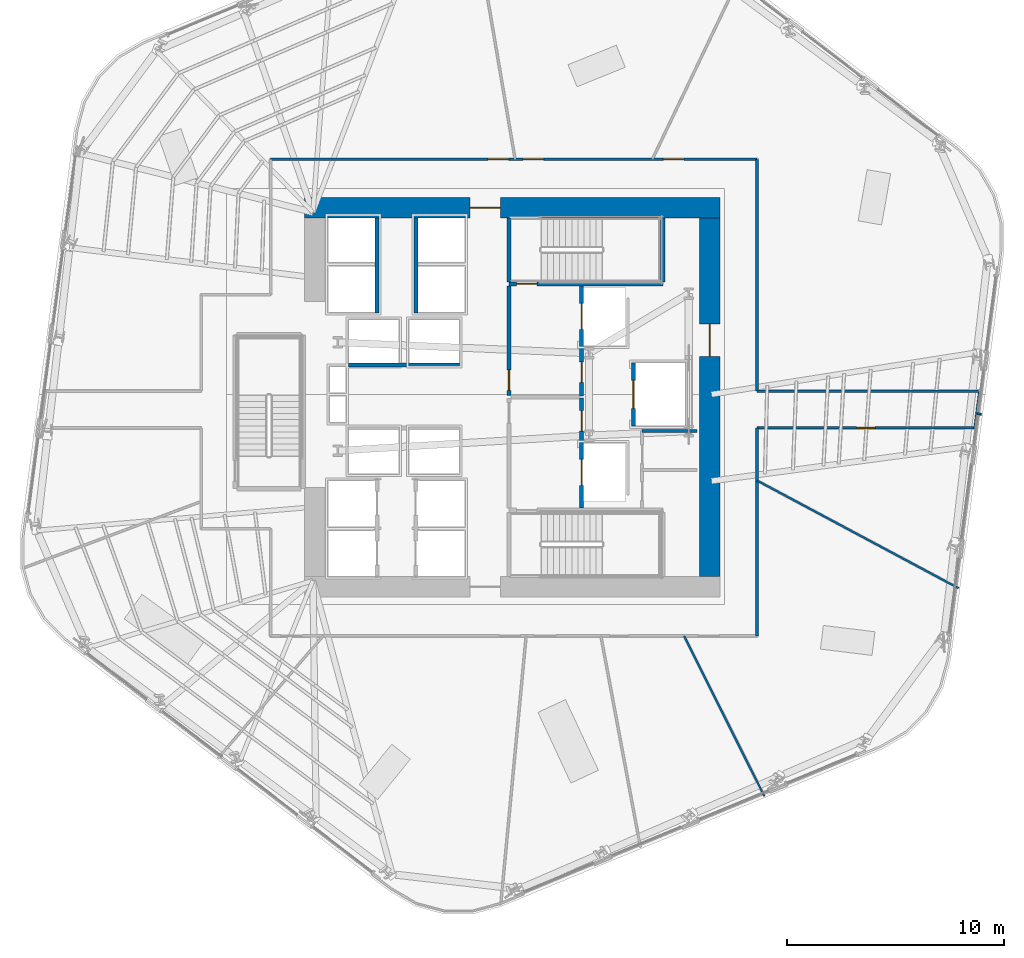
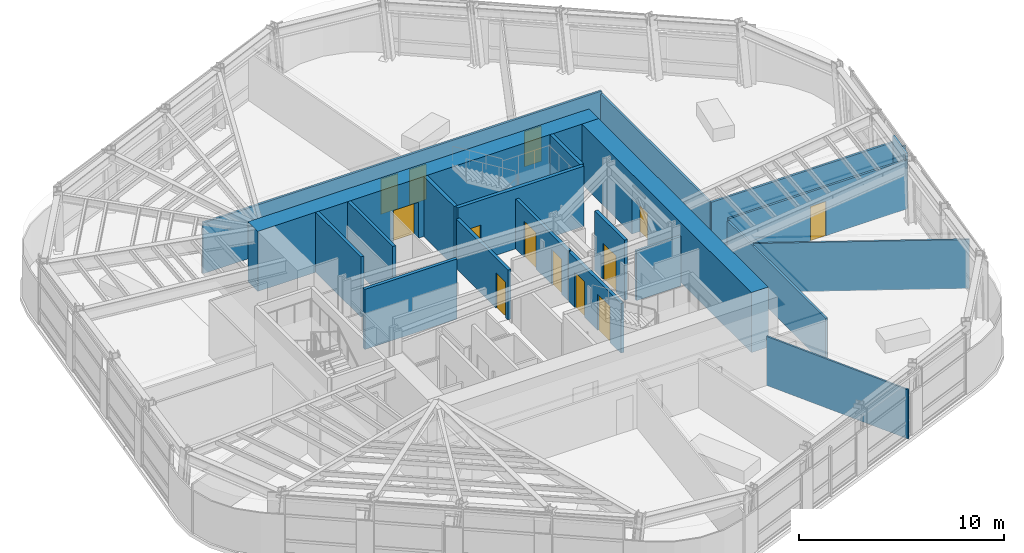
# One storey, part 10 of 18: 22 walls, 13 doors, 13 openings.
"""IFC4 building model written with IfcOpenShell, lengths in metres."""

from ifc_helpers import new_model, si_unit, direction, frame, frame_2d, origin, place, context, subcontext, project, spatial, rectangle, extrude, material, layer, layer_set, type_object, element, fill, save


model = new_model("IFC4")

# Units and contexts
model_context = context("Model", 3, precision=1e-05, world=origin(), true_north=direction((0.0, 1.0)))
body_context = subcontext(model_context, "Body", "Model", "MODEL_VIEW")
ifc_project = project(units=[si_unit("LENGTHUNIT", "METRE"), si_unit("AREAUNIT", "SQUARE_METRE"), si_unit("VOLUMEUNIT", "CUBIC_METRE"), si_unit("PLANEANGLEUNIT", "RADIAN"), si_unit("MASSUNIT", "GRAM", prefix="KILO")], contexts=[model_context])

# Site, building, storey
site_placement = place(None, origin())
site = spatial("IfcSite", under=ifc_project, at=site_placement, CompositionType="ELEMENT")
building_placement = place(site_placement, origin())
building = spatial("IfcBuilding", under=site, at=building_placement, Name="Valkerne Bourse Tower", CompositionType="ELEMENT")
storey_placement = place(building_placement, frame((0.0, 0.0, 120.0)))
storey = spatial("IfcBuildingStorey", under=building, at=storey_placement, Name="L30", CompositionType="ELEMENT", Elevation=120.0)

# Wall, opening, door
ifc_material_1 = material(Name="Concrete C70/85", Category="concrete")
ifc_layer_1 = layer(ifc_material_1, 0.949951171875)
ifc_layer_set_1 = layer_set([ifc_layer_1], Name="Concrete C70/85")
wall_type_1 = type_object("IfcWallType", Name="W-CORE-950", PredefinedType="SHEAR", material=ifc_layer_set_1)
wall_1_placement = place(storey_placement, frame((37.199951171875, 35.625, 0.0), z_axis=(0.0, 0.0, 1.0), x_axis=(1.0, 0.0, 0.0)))
wall_1 = element("IfcWall", 1, at=wall_1_placement, inside=storey, type_object=wall_type_1, Name="L30 Core Shear Wall NORTH", PredefinedType="SHEAR", context=body_context, shape_type="SweptSolid", body=[
    extrude(rectangle(XDim=19.199951171875, YDim=0.949951171875, at=frame_2d((9.60009765625, 0.0))), origin(), (0.0, 0.0, 1.0), 3.580078125),
])
opening_1_placement = place(wall_1_placement, frame((7.64990234375, 0.0, 0.0)))
opening_1 = element("IfcOpeningElement", 2, at=opening_1_placement, cuts=wall_1, Name="Opening D-PL-1400", PredefinedType="OPENING", context=body_context, shape_type="SweptSolid", body=[
    extrude(rectangle(XDim=1.39990234375, YDim=2.14990234375, at=frame_2d((0.699951171875, 1.074951171875))), frame((0.0, 0.48486328125, 0.0), z_axis=(0.0, -1.0, 0.0), x_axis=(1.0, 0.0, 0.0)), (0.0, 0.0, 1.0), 0.969970703125),
])
ifc_material_2 = material(Name="Galvanised Painted Steel", Category="steel")
door_type_1 = type_object("IfcDoorType", Name="DR-PLT-1400", OperationType="DOUBLE_DOOR_SINGLE_SWING", PredefinedType="DOOR", material=ifc_material_2)
door_1_placement = place(opening_1_placement, origin())
door_1 = element("IfcDoor", 3, at=door_1_placement, inside=storey, type_object=door_type_1, Name="L30 North Passenger Lift Hall Fire Door", OperationType="DOUBLE_DOOR_SINGLE_SWING", OverallHeight=2.14990234375, OverallWidth=1.39990234375, PredefinedType="DOOR", context=body_context, shape_type="SweptSolid", body=[
    extrude(rectangle(XDim=1.39990234375, YDim=2.14990234375, at=frame_2d((0.699951171875, 1.074951171875))), frame((0.0, 0.02490234375, 0.0), z_axis=(0.0, -1.0, 0.0), x_axis=(1.0, 0.0, 0.0)), (0.0, 0.0, 1.0), 0.050048828125),
])
fill(opening_1, door_1)

wall_2_placement = place(storey_placement, frame((55.925048828125, 18.60009765625, 0.0), z_axis=(0.0, 0.0, 1.0), x_axis=(0.0, 1.0, 0.0)))
wall_2 = element("IfcWall", 4, at=wall_2_placement, inside=storey, type_object=wall_type_1, Name="L30 Core Shear Wall EAST", PredefinedType="SHEAR", context=body_context, shape_type="SweptSolid", body=[
    extrude(rectangle(XDim=16.5498046875, YDim=0.949951171875, at=frame_2d((8.27490234375, 0.0))), origin(), (0.0, 0.0, 1.0), 3.580078125),
])
opening_2_placement = place(wall_2_placement, frame((10.14990234375, 0.0, 0.0)))
opening_2 = element("IfcOpeningElement", 5, at=opening_2_placement, cuts=wall_2, Name="Opening D-CR-1500", PredefinedType="OPENING", context=body_context, shape_type="SweptSolid", body=[
    extrude(rectangle(XDim=1.5, YDim=2.14990234375, at=frame_2d((0.75, 1.074951171875))), frame((0.0, 0.48486328125, 0.0), z_axis=(0.0, -1.0, 0.0), x_axis=(1.0, 0.0, 0.0)), (0.0, 0.0, 1.0), 0.969970703125),
])
door_type_2 = type_object("IfcDoorType", Name="DR-CORR-1500", OperationType="DOUBLE_DOOR_SINGLE_SWING", PredefinedType="DOOR", material=ifc_material_2)
door_2_placement = place(opening_2_placement, origin())
door_2 = element("IfcDoor", 6, at=door_2_placement, inside=storey, type_object=door_type_2, Name="L30 East Core Service Lobby Fire Door", OperationType="DOUBLE_DOOR_SINGLE_SWING", OverallHeight=2.14990234375, OverallWidth=1.5, PredefinedType="DOOR", context=body_context, shape_type="SweptSolid", body=[
    extrude(rectangle(XDim=1.5, YDim=2.14990234375, at=frame_2d((0.75, 1.074951171875))), frame((0.0, 0.02490234375, 0.0), z_axis=(0.0, -1.0, 0.0), x_axis=(1.0, 0.0, 0.0)), (0.0, 0.0, 1.0), 0.050048828125),
])
fill(opening_2, door_2)

# Walls
ifc_material_3 = material(Name="Gypsum Board Steel-Stud Partition", Category="steel")
ifc_layer_2 = layer(ifc_material_3, 0.117919921875)
ifc_layer_set_2 = layer_set([ifc_layer_2], Name="Gypsum Board Steel-Stud Partition")
wall_type_2 = type_object("IfcWallType", Name="W-CORR-140", PredefinedType="PARTITIONING", material=ifc_layer_set_2)
wall_3_placement = place(storey_placement, frame((58.10009765625, 27.14990234375, 0.0), z_axis=(0.0, 0.0, 1.0), x_axis=(1.0, 0.0, 0.0)))
element("IfcWall", 7, at=wall_3_placement, inside=storey, type_object=wall_type_2, Name="L30 Corridor Enclosure Wall", PredefinedType="PARTITIONING", context=body_context, shape_type="SweptSolid", body=[
    extrude(rectangle(XDim=10.23681640625, YDim=0.117919921875, at=frame_2d((5.118408203125, 0.0))), origin(), (0.0, 0.0, 1.0), 2.876708984375),
])
wall_4_placement = place(storey_placement, frame((68.3759765625, 27.10546875, 0.0), z_axis=(0.0, 0.0, 1.0), x_axis=(-0.129414201696, -0.991590623392, 0.0)))
element("IfcWall", 8, at=wall_4_placement, inside=storey, type_object=wall_type_2, Name="L30 Corridor Enclosure Wall", PredefinedType="PARTITIONING", context=body_context, shape_type="SweptSolid", body=[
    extrude(rectangle(XDim=1.669677734375, YDim=0.117919921875, at=frame_2d((0.8349609375, 0.0))), origin(), (0.0, 0.0, 1.0), 3.280029296875),
])

# Wall, opening, door
wall_5_placement = place(storey_placement, frame((68.159912109375, 25.449951171875, 0.0), z_axis=(0.0, 0.0, 1.0), x_axis=(-1.0, 0.0, 0.0)))
wall_5 = element("IfcWall", 9, at=wall_5_placement, inside=storey, type_object=wall_type_2, Name="L30 Corridor Enclosure Wall", PredefinedType="PARTITIONING", context=body_context, shape_type="SweptSolid", body=[
    extrude(rectangle(XDim=10.059814453125, YDim=0.117919921875, at=frame_2d((5.02978515625, 0.0))), origin(), (0.0, 0.0, 1.0), 2.92236328125),
])
opening_3_placement = place(wall_5_placement, frame((4.599853515625, 0.0, 0.0)))
opening_3 = element("IfcOpeningElement", 10, at=opening_3_placement, cuts=wall_5, Name="Opening D-WC-900", PredefinedType="OPENING", context=body_context, shape_type="SweptSolid", body=[
    extrude(rectangle(XDim=0.860107421875, YDim=2.050048828125, at=frame_2d((0.43017578125, 1.02490234375))), frame((0.0, 0.06884765625, 0.0), z_axis=(0.0, -1.0, 0.0), x_axis=(1.0, 0.0, 0.0)), (0.0, 0.0, 1.0), 0.137939453125),
])
ifc_material_4 = material(Name="Architectural White Oak Timber", Category="wood")
door_type_3 = type_object("IfcDoorType", Name="DR-WC-900", OperationType="NOTDEFINED", PredefinedType="DOOR", material=ifc_material_4)
door_3_placement = place(opening_3_placement, origin())
door_3 = element("IfcDoor", 11, at=door_3_placement, inside=storey, type_object=door_type_3, Name="L30 L30 Women Restroom & Shower WC 2 Door", OperationType="SINGLE_SWING_RIGHT", OverallHeight=2.050048828125, OverallWidth=0.860107421875, PredefinedType="DOOR", context=body_context, shape_type="SweptSolid", body=[
    extrude(rectangle(XDim=0.860107421875, YDim=2.050048828125, at=frame_2d((0.43017578125, 1.02490234375))), frame((0.0, 0.02490234375, 0.0), z_axis=(0.0, -1.0, 0.0), x_axis=(1.0, 0.0, 0.0)), (0.0, 0.0, 1.0), 0.050048828125),
])
fill(opening_3, door_3)

# Wall
wall_6_placement = place(storey_placement, frame((58.10009765625, 25.449951171875, 0.0), z_axis=(0.0, 0.0, 1.0), x_axis=(0.0, -1.0, 0.0)))
element("IfcWall", 12, at=wall_6_placement, inside=storey, type_object=wall_type_2, Name="L30 Corridor Enclosure Wall", PredefinedType="PARTITIONING", context=body_context, shape_type="SweptSolid", body=[
    extrude(rectangle(XDim=9.599853515625, YDim=0.117919921875, at=frame_2d((4.7998046875, 0.0))), origin(), (0.0, 0.0, 1.0), 2.80029296875),
])

# Wall, openings, doors
wall_7_placement = place(storey_placement, frame((35.64990234375, 37.85009765625, 0.0), z_axis=(0.0, 0.0, 1.0), x_axis=(1.0, 0.0, 0.0)))
wall_7 = element("IfcWall", 13, at=wall_7_placement, inside=storey, type_object=wall_type_2, Name="L30 Corridor Enclosure Wall", PredefinedType="PARTITIONING", context=body_context, shape_type="SweptSolid", body=[
    extrude(rectangle(XDim=22.4501953125, YDim=0.117919921875, at=frame_2d((11.22509765625, 0.0))), origin(), (0.0, 0.0, 1.0), 3.021484375),
])
opening_4_placement = place(wall_7_placement, frame((11.64990234375, 0.0, 0.0)))
opening_4 = element("IfcOpeningElement", 14, at=opening_4_placement, cuts=wall_7, Name="Opening D-OF-950", PredefinedType="OPENING", context=body_context, shape_type="SweptSolid", body=[
    extrude(rectangle(XDim=0.949951171875, YDim=2.10009765625, at=frame_2d((0.47509765625, 1.050048828125))), frame((0.0, 0.06884765625, 0.0), z_axis=(0.0, -1.0, 0.0), x_axis=(1.0, 0.0, 0.0)), (0.0, 0.0, 1.0), 0.137939453125),
])
opening_5_placement = place(wall_7_placement, frame((18.1298828125, 0.0, 0.0)))
opening_5 = element("IfcOpeningElement", 15, at=opening_5_placement, cuts=wall_7, Name="Opening D-OF-950", PredefinedType="OPENING", context=body_context, shape_type="SweptSolid", body=[
    extrude(rectangle(XDim=0.949951171875, YDim=2.10009765625, at=frame_2d((0.47509765625, 1.050048828125))), frame((0.0, 0.06884765625, 0.0), z_axis=(0.0, -1.0, 0.0), x_axis=(1.0, 0.0, 0.0)), (0.0, 0.0, 1.0), 0.137939453125),
])
opening_6_placement = place(wall_7_placement, frame((10.030029296875, 0.0, 0.0)))
opening_6 = element("IfcOpeningElement", 16, at=opening_6_placement, cuts=wall_7, Name="Opening D-OF-950", PredefinedType="OPENING", context=body_context, shape_type="SweptSolid", body=[
    extrude(rectangle(XDim=0.949951171875, YDim=2.10009765625, at=frame_2d((0.47509765625, 1.050048828125))), frame((0.0, 0.06884765625, 0.0), z_axis=(0.0, -1.0, 0.0), x_axis=(1.0, 0.0, 0.0)), (0.0, 0.0, 1.0), 0.137939453125),
])
door_type_4 = type_object("IfcDoorType", Name="DR-OFF-950", OperationType="NOTDEFINED", PredefinedType="DOOR", material=ifc_material_4)
door_4_placement = place(opening_4_placement, origin())
door_4 = element("IfcDoor", 17, at=door_4_placement, inside=storey, type_object=door_type_4, Name="L30 L30 Executive Economics Study Room 6 Door", OperationType="SINGLE_SWING_RIGHT", OverallHeight=2.10009765625, OverallWidth=0.949951171875, PredefinedType="DOOR", context=body_context, shape_type="SweptSolid", body=[
    extrude(rectangle(XDim=0.949951171875, YDim=2.10009765625, at=frame_2d((0.47509765625, 1.050048828125))), frame((0.0, 0.02490234375, 0.0), z_axis=(0.0, -1.0, 0.0), x_axis=(1.0, 0.0, 0.0)), (0.0, 0.0, 1.0), 0.050048828125),
])
fill(opening_4, door_4)
door_5_placement = place(opening_5_placement, origin())
door_5 = element("IfcDoor", 18, at=door_5_placement, inside=storey, type_object=door_type_4, Name="L30 L30 Exchange Security Control Room 8 Door", OperationType="SINGLE_SWING_LEFT", OverallHeight=2.10009765625, OverallWidth=0.949951171875, PredefinedType="DOOR", context=body_context, shape_type="SweptSolid", body=[
    extrude(rectangle(XDim=0.949951171875, YDim=2.10009765625, at=frame_2d((0.47509765625, 1.050048828125))), frame((0.0, 0.02490234375, 0.0), z_axis=(0.0, -1.0, 0.0), x_axis=(1.0, 0.0, 0.0)), (0.0, 0.0, 1.0), 0.050048828125),
])
fill(opening_5, door_5)
door_6_placement = place(opening_6_placement, origin())
door_6 = element("IfcDoor", 19, at=door_6_placement, inside=storey, type_object=door_type_4, Name="L30 L30 Exchange Security Control Room 9 Door", OperationType="SINGLE_SWING_LEFT", OverallHeight=2.10009765625, OverallWidth=0.949951171875, PredefinedType="DOOR", context=body_context, shape_type="SweptSolid", body=[
    extrude(rectangle(XDim=0.949951171875, YDim=2.10009765625, at=frame_2d((0.47509765625, 1.050048828125))), frame((0.0, 0.02490234375, 0.0), z_axis=(0.0, -1.0, 0.0), x_axis=(1.0, 0.0, 0.0)), (0.0, 0.0, 1.0), 0.050048828125),
])
fill(opening_6, door_6)

# Wall
wall_8_placement = place(storey_placement, frame((58.10009765625, 37.85009765625, 0.0), z_axis=(0.0, 0.0, 1.0), x_axis=(0.0, -1.0, 0.0)))
element("IfcWall", 20, at=wall_8_placement, inside=storey, type_object=wall_type_2, Name="L30 Corridor Enclosure Wall", PredefinedType="PARTITIONING", context=body_context, shape_type="SweptSolid", body=[
    extrude(rectangle(XDim=10.7001953125, YDim=0.117919921875, at=frame_2d((5.35009765625, 0.0))), origin(), (0.0, 0.0, 1.0), 2.876708984375),
])

# Wall, opening, door
ifc_material_5 = material(Name="Gypsum Fire-Rated Shaftwall", Category="gypsum")
ifc_layer_3 = layer(ifc_material_5, 0.179931640625)
ifc_layer_set_3 = layer_set([ifc_layer_3], Name="Gypsum Fire-Rated Shaftwall")
wall_type_3 = type_object("IfcWallType", Name="W-FSAE-180", PredefinedType="PARTITIONING", material=ifc_layer_set_3)
wall_9_placement = place(storey_placement, frame((46.64990234375, 26.9599609375, 0.0), z_axis=(0.0, 0.0, 1.0), x_axis=(0.0, 1.0, 0.0)))
wall_9 = element("IfcWall", 21, at=wall_9_placement, inside=storey, type_object=wall_type_3, Name="L30 FSAE-2 Lobby West Fire Wall", PredefinedType="PARTITIONING", context=body_context, shape_type="SweptSolid", body=[
    extrude(rectangle(XDim=5.0400390625, YDim=0.179931640625, at=frame_2d((2.52001953125, 0.0))), origin(), (0.0, 0.0, 1.0), 2.957763671875),
])
opening_7_placement = place(wall_9_placement, frame((0.219970703125, 0.0, 0.0)))
opening_7 = element("IfcOpeningElement", 22, at=opening_7_placement, cuts=wall_9, Name="Opening D-FS-950", PredefinedType="OPENING", context=body_context, shape_type="SweptSolid", body=[
    extrude(rectangle(XDim=0.949951171875, YDim=2.10009765625, at=frame_2d((0.47509765625, 1.050048828125))), frame((0.0, 0.099853515625, 0.0), z_axis=(0.0, -1.0, 0.0), x_axis=(1.0, 0.0, 0.0)), (0.0, 0.0, 1.0), 0.199951171875),
])
door_type_5 = type_object("IfcDoorType", Name="DR-FSAE-950", OperationType="NOTDEFINED", PredefinedType="DOOR", material=ifc_material_2)
door_7_placement = place(opening_7_placement, origin())
door_7 = element("IfcDoor", 23, at=door_7_placement, inside=storey, type_object=door_type_5, Name="L30 FSAE-2 Hall Link Fire Door", OperationType="SINGLE_SWING_LEFT", OverallHeight=2.10009765625, OverallWidth=0.949951171875, PredefinedType="DOOR", context=body_context, shape_type="SweptSolid", body=[
    extrude(rectangle(XDim=0.949951171875, YDim=2.10009765625, at=frame_2d((0.47509765625, 1.050048828125))), frame((0.0, 0.02490234375, 0.0), z_axis=(0.0, -1.0, 0.0), x_axis=(1.0, 0.0, 0.0)), (0.0, 0.0, 1.0), 0.050048828125),
])
fill(opening_7, door_7)

# Wall, openings, doors
wall_10_placement = place(storey_placement, frame((50.0, 21.75, 0.0), z_axis=(0.0, 0.0, 1.0), x_axis=(0.0, 1.0, 0.0)))
wall_10 = element("IfcWall", 24, at=wall_10_placement, inside=storey, type_object=wall_type_3, Name="L30 FSAE-1 Lobby & Shaft Front Wall", PredefinedType="PARTITIONING", context=body_context, shape_type="SweptSolid", body=[
    extrude(rectangle(XDim=5.090087890625, YDim=0.179931640625, at=frame_2d((2.544921875, 0.0))), origin(), (0.0, 0.0, 1.0), 2.957763671875),
])
opening_8_placement = place(wall_10_placement, frame((1.050048828125, 0.0, 0.0)))
opening_8 = element("IfcOpeningElement", 25, at=opening_8_placement, cuts=wall_10, Name="Opening LD-1200", PredefinedType="OPENING", context=body_context, shape_type="SweptSolid", body=[
    extrude(rectangle(XDim=1.199951171875, YDim=2.14990234375, at=frame_2d((0.60009765625, 1.074951171875))), frame((0.0, 0.099853515625, 0.0), z_axis=(0.0, -1.0, 0.0), x_axis=(1.0, 0.0, 0.0)), (0.0, 0.0, 1.0), 0.199951171875),
])
opening_9_placement = place(wall_10_placement, frame((3.550048828125, 0.0, 0.0)))
opening_9 = element("IfcOpeningElement", 26, at=opening_9_placement, cuts=wall_10, Name="Opening D-FS-950", PredefinedType="OPENING", context=body_context, shape_type="SweptSolid", body=[
    extrude(rectangle(XDim=0.949951171875, YDim=2.10009765625, at=frame_2d((0.47509765625, 1.050048828125))), frame((0.0, 0.099853515625, 0.0), z_axis=(0.0, -1.0, 0.0), x_axis=(1.0, 0.0, 0.0)), (0.0, 0.0, 1.0), 0.199951171875),
])
door_8_placement = place(opening_9_placement, origin())
door_8 = element("IfcDoor", 27, at=door_8_placement, inside=storey, type_object=door_type_5, Name="L30 FSAE-1 Lobby Corridor Fire Door", OperationType="SINGLE_SWING_LEFT", OverallHeight=2.10009765625, OverallWidth=0.949951171875, PredefinedType="DOOR", context=body_context, shape_type="SweptSolid", body=[
    extrude(rectangle(XDim=0.949951171875, YDim=2.10009765625, at=frame_2d((0.47509765625, 1.050048828125))), frame((0.0, 0.02490234375, 0.0), z_axis=(0.0, -1.0, 0.0), x_axis=(1.0, 0.0, 0.0)), (0.0, 0.0, 1.0), 0.050048828125),
])
fill(opening_9, door_8)
ifc_material_6 = material(Name="Stainless Steel AISI 316", Category="steel")
door_type_6 = type_object("IfcDoorType", Name="DR-LIFT-1200", OperationType="DOUBLE_DOOR_SLIDING", PredefinedType="DOOR", material=ifc_material_6)
door_9_placement = place(opening_8_placement, origin())
door_9 = element("IfcDoor", 28, at=door_9_placement, inside=storey, type_object=door_type_6, Name="L30 FSAE-1 Firefighting Lift Landing Door", OperationType="DOUBLE_DOOR_SLIDING", OverallHeight=2.14990234375, OverallWidth=1.199951171875, PredefinedType="DOOR", context=body_context, shape_type="SweptSolid", body=[
    extrude(rectangle(XDim=1.199951171875, YDim=2.14990234375, at=frame_2d((0.60009765625, 1.074951171875))), frame((0.0, 0.02490234375, 0.0), z_axis=(0.0, -1.0, 0.0), x_axis=(1.0, 0.0, 0.0)), (0.0, 0.0, 1.0), 0.050048828125),
])
fill(opening_8, door_9)

wall_11_placement = place(storey_placement, frame((50.0, 26.919921875, 0.0), z_axis=(0.0, 0.0, 1.0), x_axis=(0.0, 1.0, 0.0)))
wall_11 = element("IfcWall", 29, at=wall_11_placement, inside=storey, type_object=wall_type_3, Name="L30 FSAE-2 Lobby & Shaft Front Wall", PredefinedType="PARTITIONING", context=body_context, shape_type="SweptSolid", body=[
    extrude(rectangle(XDim=5.080078125, YDim=0.179931640625, at=frame_2d((2.5400390625, 0.0))), origin(), (0.0, 0.0, 1.0), 2.957763671875),
])
opening_10_placement = place(wall_11_placement, frame((3.080078125, 0.0, 0.0)))
opening_10 = element("IfcOpeningElement", 30, at=opening_10_placement, cuts=wall_11, Name="Opening LD-1200", PredefinedType="OPENING", context=body_context, shape_type="SweptSolid", body=[
    extrude(rectangle(XDim=1.199951171875, YDim=2.14990234375, at=frame_2d((0.60009765625, 1.074951171875))), frame((0.0, 0.099853515625, 0.0), z_axis=(0.0, -1.0, 0.0), x_axis=(1.0, 0.0, 0.0)), (0.0, 0.0, 1.0), 0.199951171875),
])
opening_11_placement = place(wall_11_placement, frame((0.6298828125, 0.0, 0.0)))
opening_11 = element("IfcOpeningElement", 31, at=opening_11_placement, cuts=wall_11, Name="Opening D-FS-950", PredefinedType="OPENING", context=body_context, shape_type="SweptSolid", body=[
    extrude(rectangle(XDim=0.949951171875, YDim=2.10009765625, at=frame_2d((0.47509765625, 1.050048828125))), frame((0.0, 0.099853515625, 0.0), z_axis=(0.0, -1.0, 0.0), x_axis=(1.0, 0.0, 0.0)), (0.0, 0.0, 1.0), 0.199951171875),
])
door_10_placement = place(opening_11_placement, origin())
door_10 = element("IfcDoor", 32, at=door_10_placement, inside=storey, type_object=door_type_5, Name="L30 FSAE-2 Lobby Corridor Fire Door", OperationType="SINGLE_SWING_LEFT", OverallHeight=2.10009765625, OverallWidth=0.949951171875, PredefinedType="DOOR", context=body_context, shape_type="SweptSolid", body=[
    extrude(rectangle(XDim=0.949951171875, YDim=2.10009765625, at=frame_2d((0.47509765625, 1.050048828125))), frame((0.0, 0.02490234375, 0.0), z_axis=(0.0, -1.0, 0.0), x_axis=(1.0, 0.0, 0.0)), (0.0, 0.0, 1.0), 0.050048828125),
])
fill(opening_11, door_10)
door_11_placement = place(opening_10_placement, origin())
door_11 = element("IfcDoor", 33, at=door_11_placement, inside=storey, type_object=door_type_6, Name="L30 FSAE-2 Firefighting Lift Landing Door", OperationType="DOUBLE_DOOR_SLIDING", OverallHeight=2.14990234375, OverallWidth=1.199951171875, PredefinedType="DOOR", context=body_context, shape_type="SweptSolid", body=[
    extrude(rectangle(XDim=1.199951171875, YDim=2.14990234375, at=frame_2d((0.60009765625, 1.074951171875))), frame((0.0, 0.02490234375, 0.0), z_axis=(0.0, -1.0, 0.0), x_axis=(1.0, 0.0, 0.0)), (0.0, 0.0, 1.0), 0.050048828125),
])
fill(opening_10, door_11)

# Wall, opening, door
ifc_material_7 = material(Name="CMU Blockwork Masonry 200mm", Category="masonry")
ifc_layer_4 = layer(ifc_material_7, 0.179931640625)
ifc_layer_set_4 = layer_set([ifc_layer_4], Name="CMU Blockwork Masonry 200mm")
wall_type_4 = type_object("IfcWallType", Name="W-LFT-180", PredefinedType="SOLIDWALL", material=ifc_layer_set_4)
wall_12_placement = place(storey_placement, frame((52.39990234375, 25.550048828125, 0.0), z_axis=(0.0, 0.0, 1.0), x_axis=(0.0, 1.0, 0.0)))
wall_12 = element("IfcWall", 34, at=wall_12_placement, inside=storey, type_object=wall_type_4, Name="L30 Service Lift SV-1 Front Wall", PredefinedType="SOLIDWALL", context=body_context, shape_type="SweptSolid", body=[
    extrude(rectangle(XDim=2.89990234375, YDim=0.179931640625, at=frame_2d((1.449951171875, 0.0))), origin(), (0.0, 0.0, 1.0), 3.580078125),
])
opening_12_placement = place(wall_12_placement, frame((0.800048828125, 0.0, 0.0)))
opening_12 = element("IfcOpeningElement", 35, at=opening_12_placement, cuts=wall_12, Name="Opening LD-1300", PredefinedType="OPENING", context=body_context, shape_type="SweptSolid", body=[
    extrude(rectangle(XDim=1.300048828125, YDim=2.14990234375, at=frame_2d((0.64990234375, 1.074951171875))), frame((0.0, 0.099853515625, 0.0), z_axis=(0.0, -1.0, 0.0), x_axis=(1.0, 0.0, 0.0)), (0.0, 0.0, 1.0), 0.199951171875),
])
door_type_7 = type_object("IfcDoorType", Name="DR-LIFT-1300", OperationType="DOUBLE_DOOR_SLIDING", PredefinedType="DOOR", material=ifc_material_6)
door_12_placement = place(opening_12_placement, origin())
door_12 = element("IfcDoor", 36, at=door_12_placement, inside=storey, type_object=door_type_7, Name="L30 Service Lift SV-1 Landing Door", OperationType="DOUBLE_DOOR_SLIDING", OverallHeight=2.14990234375, OverallWidth=1.300048828125, PredefinedType="DOOR", context=body_context, shape_type="SweptSolid", body=[
    extrude(rectangle(XDim=1.300048828125, YDim=2.14990234375, at=frame_2d((0.64990234375, 1.074951171875))), frame((0.0, 0.02490234375, 0.0), z_axis=(0.0, -1.0, 0.0), x_axis=(1.0, 0.0, 0.0)), (0.0, 0.0, 1.0), 0.050048828125),
])
fill(opening_12, door_12)

# Walls
for number, where, z_axis, x_axis, name in (
    (37, (40.550048828125, 30.75, 0.0), (0.0, 0.0, 1.0), (0.0, 1.0, 0.0), "L30 Mid-Zone West Cars Front Wall"),
    (38, (42.35009765625, 30.75, 0.0), (0.0, 0.0, 1.0), (0.0, 1.0, 0.0), "L30 Mid-Zone East Cars Front Wall"),
):
    element("IfcWall", number, at=place(storey_placement, frame(where, z_axis=z_axis, x_axis=x_axis)), inside=storey, type_object=wall_type_4, Name=name, PredefinedType="SOLIDWALL", context=body_context, shape_type="SweptSolid", body=[
        extrude(rectangle(XDim=4.39990234375, YDim=0.179931640625, at=frame_2d((2.199951171875, 0.0))), origin(), (0.0, 0.0, 1.0), 3.580078125),
    ])
wall_13_placement = place(storey_placement, frame((39.25, 28.35009765625, 0.0), z_axis=(0.0, 0.0, 1.0), x_axis=(1.0, 0.0, 0.0)))
element("IfcWall", 39, at=wall_13_placement, inside=storey, type_object=wall_type_4, Name="L30 High-Zone North Cars Front Wall", PredefinedType="SOLIDWALL", context=body_context, shape_type="SweptSolid", body=[
    extrude(rectangle(XDim=5.199951171875, YDim=0.179931640625, at=frame_2d((2.60009765625, 0.0))), origin(), (0.0, 0.0, 1.0), 3.580078125),
])
ifc_layer_5 = layer(ifc_material_3, 0.092041015625)
ifc_layer_set_5 = layer_set([ifc_layer_5], Name="Gypsum Board Steel-Stud Partition")
wall_type_5 = type_object("IfcWallType", Name="W-PART-115", PredefinedType="PARTITIONING", material=ifc_layer_set_5)
wall_14_placement = place(storey_placement, frame((54.73681640625, 15.844970703125, 0.0), z_axis=(0.0, 0.0, 1.0), x_axis=(0.447756534451, -0.894155515476, 0.0)))
element("IfcWall", 40, at=wall_14_placement, inside=storey, type_object=wall_type_5, Name="L30 Suite Partition P03", PredefinedType="PARTITIONING", context=body_context, shape_type="SweptSolid", body=[
    extrude(rectangle(XDim=8.2724609375, YDim=0.092041015625, at=frame_2d((4.13623046875, 0.0))), origin(), (0.0, 0.0, 1.0), 2.92236328125),
])
wall_15_placement = place(storey_placement, frame((58.10498046875, 23.021484375, 0.0), z_axis=(0.0, 0.0, 1.0), x_axis=(0.881990573261, -0.471267046036, 0.0)))
element("IfcWall", 41, at=wall_15_placement, inside=storey, type_object=wall_type_5, Name="L30 Suite Partition P04", PredefinedType="PARTITIONING", context=body_context, shape_type="SweptSolid", body=[
    extrude(rectangle(XDim=10.544921875, YDim=0.092041015625, at=frame_2d((5.2724609375, 0.0))), origin(), (0.0, 0.0, 1.0), 2.92236328125),
])
wall_16_placement = place(storey_placement, frame((68.25048828125, 26.1064453125, 0.0), z_axis=(0.0, 0.0, 1.0), x_axis=(0.994870867293, -0.101153138421, 0.0)))
element("IfcWall", 42, at=wall_16_placement, inside=storey, type_object=wall_type_5, Name="L30 Suite Partition P05", PredefinedType="PARTITIONING", context=body_context, shape_type="SweptSolid", body=[
    extrude(rectangle(XDim=0.205078125, YDim=0.092041015625, at=frame_2d((0.1025390625, 0.0))), origin(), (0.0, 0.0, 1.0), 3.280029296875),
])

# Wall, opening, door
ifc_material_8 = material(Name="Concrete C40/50", Category="concrete")
ifc_layer_6 = layer(ifc_material_8, 0.199951171875)
ifc_layer_set_6 = layer_set([ifc_layer_6], Name="Concrete C40/50")
wall_type_6 = type_object("IfcWallType", Name="W-SHF-200", PredefinedType="SHEAR", material=ifc_layer_set_6)
wall_17_placement = place(storey_placement, frame((46.64990234375, 32.10009765625, 0.0), z_axis=(0.0, 0.0, 1.0), x_axis=(1.0, 0.0, 0.0)))
wall_17 = element("IfcWall", 43, at=wall_17_placement, inside=storey, type_object=wall_type_6, Name="L30 Exit Stair ST-2 Structural Shaft Wall South", PredefinedType="SHEAR", context=body_context, shape_type="SweptSolid", body=[
    extrude(rectangle(XDim=7.10009765625, YDim=0.199951171875, at=frame_2d((3.550048828125, 0.0))), origin(), (0.0, 0.0, 1.0), 3.580078125),
])
opening_13_placement = place(wall_17_placement, frame((0.35009765625, 0.0, 0.0)))
opening_13 = element("IfcOpeningElement", 44, at=opening_13_placement, cuts=wall_17, Name="Opening D-ST-950", PredefinedType="OPENING", context=body_context, shape_type="SweptSolid", body=[
    extrude(rectangle(XDim=0.949951171875, YDim=2.10009765625, at=frame_2d((0.47509765625, 1.050048828125))), frame((0.0, 0.10986328125, 0.0), z_axis=(0.0, -1.0, 0.0), x_axis=(1.0, 0.0, 0.0)), (0.0, 0.0, 1.0), 0.219970703125),
])
door_type_8 = type_object("IfcDoorType", Name="DR-STAIR-950", OperationType="NOTDEFINED", PredefinedType="DOOR", material=ifc_material_2)
door_13_placement = place(opening_13_placement, origin())
door_13 = element("IfcDoor", 45, at=door_13_placement, inside=storey, type_object=door_type_8, Name="L30 Exit Stair ST-2 Door", OperationType="SINGLE_SWING_LEFT", OverallHeight=2.10009765625, OverallWidth=0.949951171875, PredefinedType="DOOR", context=body_context, shape_type="SweptSolid", body=[
    extrude(rectangle(XDim=0.949951171875, YDim=2.10009765625, at=frame_2d((0.47509765625, 1.050048828125))), frame((0.0, 0.02490234375, 0.0), z_axis=(0.0, -1.0, 0.0), x_axis=(1.0, 0.0, 0.0)), (0.0, 0.0, 1.0), 0.050048828125),
])
fill(opening_13, door_13)

# Walls
for number, where, z_axis, x_axis, name in (
    (46, (46.64990234375, 32.199951171875, 0.0), (0.0, 0.0, 1.0), (0.0, 1.0, 0.0), "L30 Exit Stair ST-2 Structural Shaft Wall West"),
    (47, (53.75, 32.199951171875, 0.0), (0.0, 0.0, 1.0), (0.0, 1.0, 0.0), "L30 Exit Stair ST-2 Structural Shaft Wall East"),
):
    element("IfcWall", number, at=place(storey_placement, frame(where, z_axis=z_axis, x_axis=x_axis)), inside=storey, type_object=wall_type_6, Name=name, PredefinedType="SHEAR", context=body_context, shape_type="SweptSolid", body=[
        extrude(rectangle(XDim=2.949951171875, YDim=0.199951171875, at=frame_2d((1.47509765625, 0.0))), origin(), (0.0, 0.0, 1.0), 3.580078125),
    ])
ifc_material_9 = material(Name="Moisture-Resistant Gypsum Partition", Category="gypsum")
ifc_layer_7 = layer(ifc_material_9, 0.139892578125)
ifc_layer_set_7 = layer_set([ifc_layer_7], Name="Moisture-Resistant Gypsum Partition")
wall_type_7 = type_object("IfcWallType", Name="W-WET-140", PredefinedType="PARTITIONING", material=ifc_layer_set_7)
wall_18_placement = place(storey_placement, frame((52.800048828125, 25.300048828125, 0.0), z_axis=(0.0, 0.0, 1.0), x_axis=(1.0, 0.0, 0.0)))
element("IfcWall", 48, at=wall_18_placement, inside=storey, type_object=wall_type_7, Name="L30 Core SE Dual North Wall", PredefinedType="PARTITIONING", context=body_context, shape_type="SweptSolid", body=[
    extrude(rectangle(XDim=2.52001953125, YDim=0.139892578125, at=frame_2d((1.260009765625, 0.0))), origin(), (0.0, 0.0, 1.0), 2.957763671875),
])

save(model, "model.ifc")
